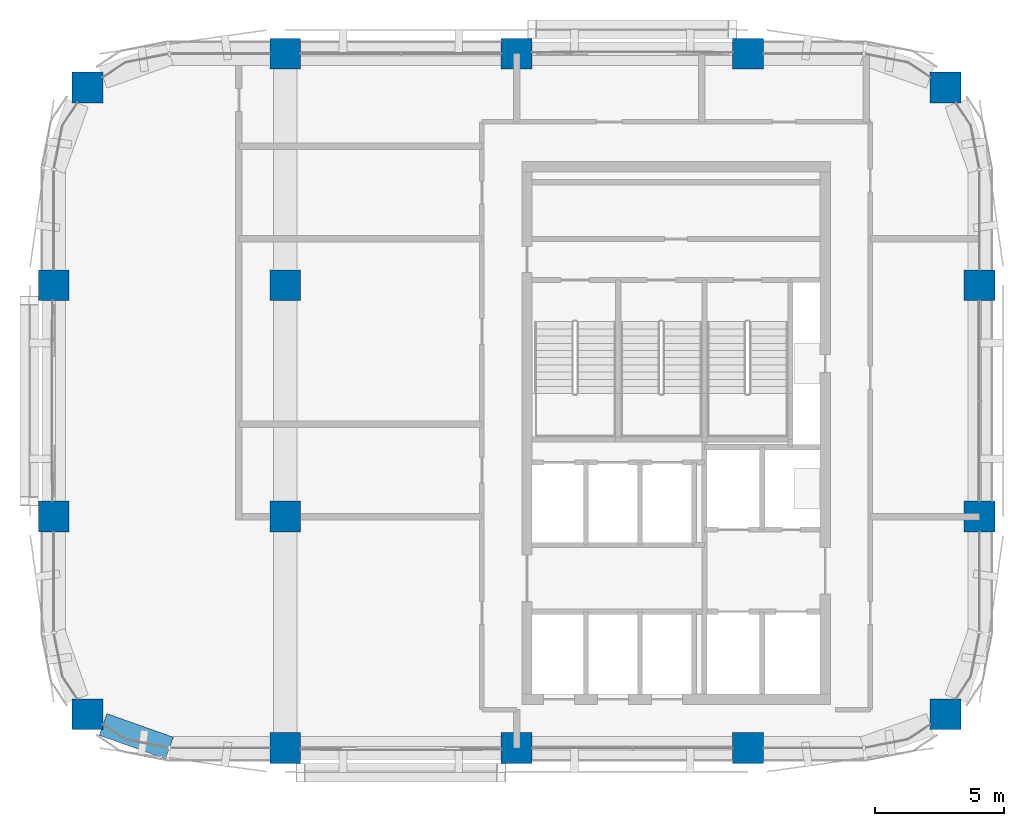
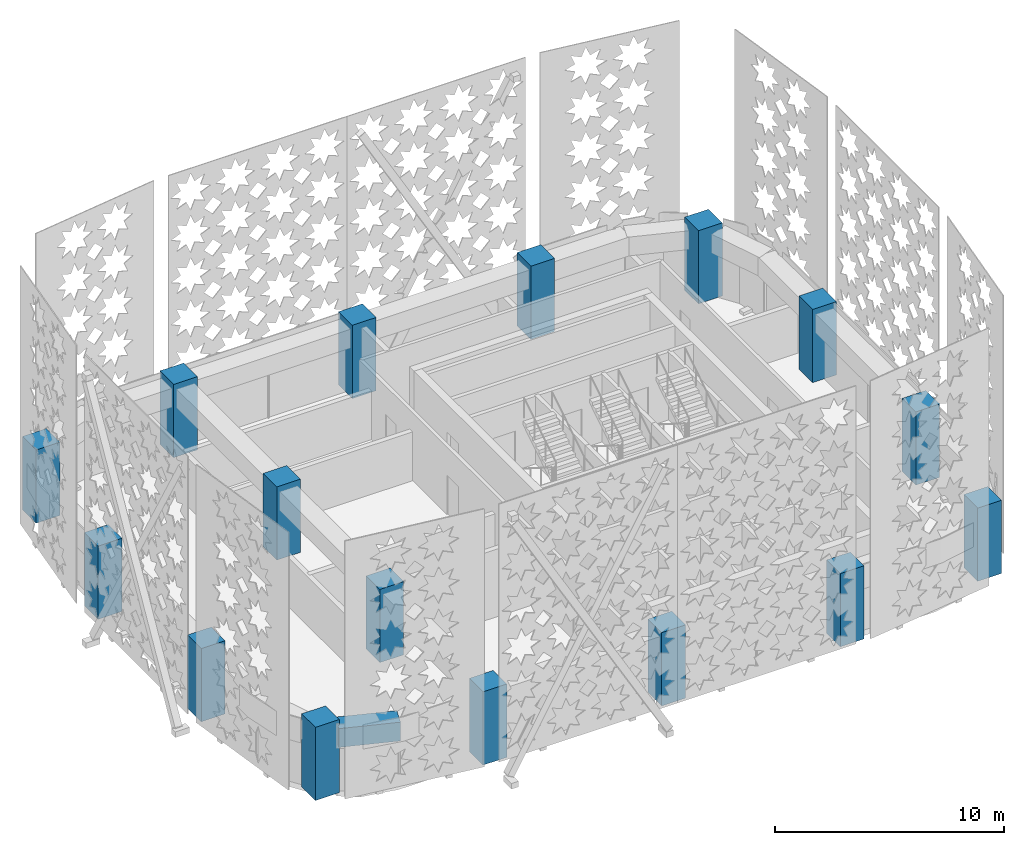
# One storey, part 1 of 17: 16 columns, 1 beam.
"""IFC4 building model written with IfcOpenShell, lengths in metres."""

from ifc_helpers import new_model, si_unit, direction, frame, origin, origin_2d, place, context, subcontext, project, spatial, rectangle, extrude, material, material_profile, profile_set, type_object, element, save


model = new_model("IFC4")

# Units and contexts
model_context = context("Model", 3, precision=1e-05, world=origin(), true_north=direction((0.0, 1.0)))
body_context = subcontext(model_context, "Body", "Model", "MODEL_VIEW")
ifc_project = project(units=[si_unit("LENGTHUNIT", "METRE"), si_unit("AREAUNIT", "SQUARE_METRE"), si_unit("VOLUMEUNIT", "CUBIC_METRE"), si_unit("PLANEANGLEUNIT", "RADIAN"), si_unit("MASSUNIT", "GRAM", prefix="KILO")], contexts=[model_context])

# Site, building, storey
site_placement = place(None, origin())
site = spatial("IfcSite", under=ifc_project, at=site_placement, CompositionType="ELEMENT")
building_placement = place(site_placement, origin())
building = spatial("IfcBuilding", under=site, at=building_placement, Name="Tessera Arch", CompositionType="ELEMENT")
storey_placement = place(building_placement, frame((0.0, 0.0, 281.300048828125)))
storey = spatial("IfcBuildingStorey", under=building, at=storey_placement, Name="L68", CompositionType="ELEMENT", Elevation=281.300048828125)

# Columns
ifc_material_1 = material(Name="Concrete C60/75", Category="concrete")
ifc_material_profile_1 = material_profile(ifc_material_1, rectangle(XDim=1.199951171875, YDim=1.199951171875, at=origin_2d()), Name="RC column 1200 x 1200 Concrete C60/75")
ifc_profile_set_1 = profile_set([ifc_material_profile_1], Name="Concrete C60/75")
column_type = type_object("IfcColumnType", Name="RC column 1200 x 1200 Concrete C60/75", PredefinedType="COLUMN", material=ifc_profile_set_1)
for number, where, z_axis, x_axis, name in (
    (1, (19.318115234375, 28.318115234375, 0.0), (0.0, 0.0, 1.0), (1.0, 0.0, 0.0), "Column C3D L68"),
    (2, (18.0, 36.0, 0.0), (0.0, 0.0, 1.0), (1.0, 0.0, 0.0), "Column C3E L68"),
    (3, (18.0, 45.0, 0.0), (0.0, 0.0, 1.0), (1.0, 0.0, 0.0), "Column C3F L68"),
    (4, (19.318115234375, 52.681884765625, 0.0), (0.0, 0.0, 1.0), (1.0, 0.0, 0.0), "Column C3G L68"),
    (5, (27.0, 27.0, 0.0), (0.0, 0.0, 1.0), (1.0, 0.0, 0.0), "Column C4D L68"),
    (6, (27.0, 36.0, 0.0), (0.0, 0.0, 1.0), (1.0, 0.0, 0.0), "Column C4E L68"),
    (7, (27.0, 45.0, 0.0), (0.0, 0.0, 1.0), (1.0, 0.0, 0.0), "Column C4F L68"),
    (8, (27.0, 54.0, 0.0), (0.0, 0.0, 1.0), (1.0, 0.0, 0.0), "Column C4G L68"),
    (9, (36.0, 27.0, 0.0), (0.0, 0.0, 1.0), (1.0, 0.0, 0.0), "Column C5D L68"),
    (10, (36.0, 54.0, 0.0), (0.0, 0.0, 1.0), (1.0, 0.0, 0.0), "Column C5G L68"),
    (11, (45.0, 27.0, 0.0), (0.0, 0.0, 1.0), (1.0, 0.0, 0.0), "Column C6D L68"),
    (12, (45.0, 54.0, 0.0), (0.0, 0.0, 1.0), (1.0, 0.0, 0.0), "Column C6G L68"),
    (13, (52.681884765625, 28.318115234375, 0.0), (0.0, 0.0, 1.0), (1.0, 0.0, 0.0), "Column C7D L68"),
    (14, (54.0, 36.0, 0.0), (0.0, 0.0, 1.0), (1.0, 0.0, 0.0), "Column C7E L68"),
    (15, (54.0, 45.0, 0.0), (0.0, 0.0, 1.0), (1.0, 0.0, 0.0), "Column C7F L68"),
    (16, (52.681884765625, 52.681884765625, 0.0), (0.0, 0.0, 1.0), (1.0, 0.0, 0.0), "Column C7G L68"),
):
    element("IfcColumn", number, at=place(storey_placement, frame(where, z_axis=z_axis, x_axis=x_axis)), inside=storey, type_object=column_type, Name=name, PredefinedType="COLUMN", context=body_context, shape_type="SweptSolid", body=[
        extrude(rectangle(XDim=1.199951171875, YDim=1.199951171875, at=origin_2d()), origin(), (0.0, 0.0, 1.0), 3.89990234375),
    ])

# Beam
ifc_material_2 = material(Name="Concrete C60/75", Category="concrete")
ifc_material_profile_2 = material_profile(ifc_material_2, rectangle(XDim=0.89990234375, YDim=1.0, at=origin_2d()), Name="RC spandrel beam 900 x 1000 Concrete C60/75")
ifc_profile_set_2 = profile_set([ifc_material_profile_2], Name="Concrete C60/75")
beam_type = type_object("IfcBeamType", Name="RC spandrel beam 900 x 1000 Concrete C60/75", PredefinedType="BEAM", material=ifc_profile_set_2)
beam_placement = place(storey_placement, frame((19.91796875, 27.9169921875, 3.099853515625), z_axis=(0.942337127159, -0.334665114373, 0.0), x_axis=(0.334665114373, 0.942337127159, 0.0)))
element("IfcBeam", 17, at=beam_placement, inside=storey, type_object=beam_type, Name="Spandrel beam L68 S27.18/0.1", PredefinedType="BEAM", context=body_context, shape_type="SweptSolid", body=[
    extrude(rectangle(XDim=0.89990234375, YDim=1.0, at=origin_2d()), origin(), (0.0, 0.0, 1.0), 2.739990234375),
])

save(model, "model.ifc")
